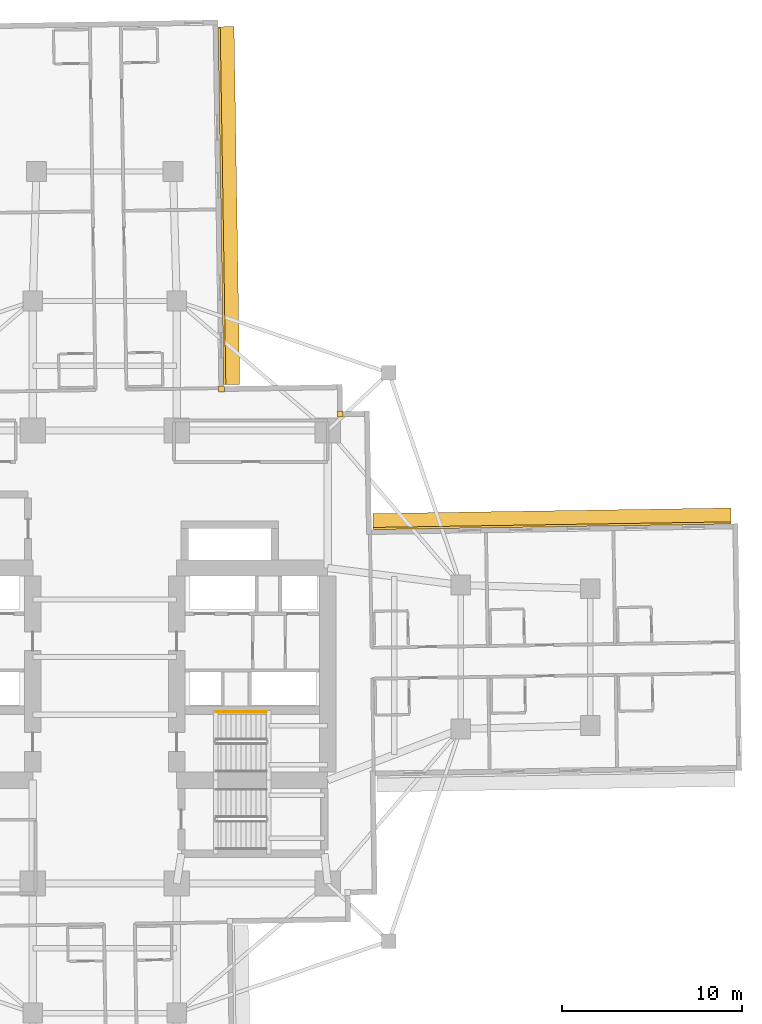
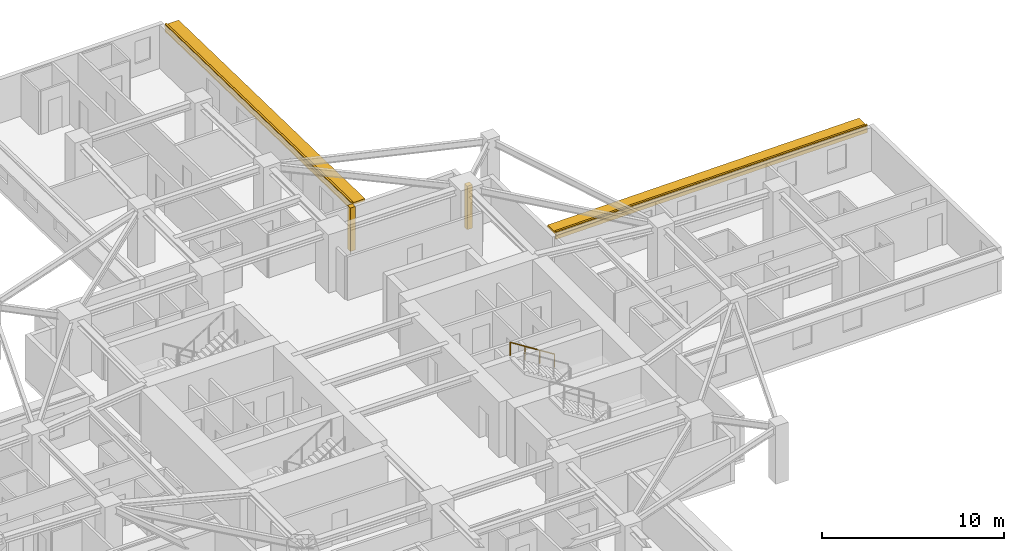
# One storey, part 14 of 14: 4 coverings, 2 shading devices, 1 railing.
"""IFC4 building model written with IfcOpenShell, lengths in metres."""

from ifc_helpers import new_model, si_unit, direction, frame, origin, origin_2d, place, context, subcontext, project, spatial, rectangle, circle, extrude, material, layer, layer_set, type_object, element, save


model = new_model("IFC4")

# Units and contexts
model_context = context("Model", 3, precision=1e-05, world=origin(), true_north=direction((0.0, 1.0)))
body_context = subcontext(model_context, "Body", "Model", "MODEL_VIEW")
ifc_project = project(units=[si_unit("LENGTHUNIT", "METRE"), si_unit("AREAUNIT", "SQUARE_METRE"), si_unit("VOLUMEUNIT", "CUBIC_METRE"), si_unit("PLANEANGLEUNIT", "RADIAN"), si_unit("MASSUNIT", "GRAM", prefix="KILO")], contexts=[model_context])

# Site, building, storey
site_placement = place(None, origin())
site = spatial("IfcSite", under=ifc_project, at=site_placement, CompositionType="ELEMENT")
building_placement = place(site_placement, origin())
building = spatial("IfcBuilding", under=site, at=building_placement, Name="Qingluan Cross Belvedere", CompositionType="ELEMENT")
storey_placement = place(building_placement, frame((0.0, 0.0, 60.0)))
storey = spatial("IfcBuildingStorey", under=building, at=storey_placement, Name="L15", CompositionType="ELEMENT", Elevation=60.0)

# Coverings
ifc_material_1 = material(Name="Precast concrete C45", Category="concrete")
ifc_layer_1 = layer(ifc_material_1, 0.1201171875, Name="ConcreteSpandrelCladding_120")
ifc_layer_set_1 = layer_set([ifc_layer_1], Name="Precast concrete C45")
covering_type = type_object("IfcCoveringType", Name="ConcreteSpandrelCladding_120", PredefinedType="CLADDING", material=ifc_layer_set_1)
for number, where, z_axis, x_axis, name in (
    (1, (24.87841796875, 7.3017578125, 2.449951171875), (0.0, 0.0, 1.0), (-0.999876567432, -0.015711457647, 0.0), "Spandrel cladding L15-EB"),
    (2, (6.5166015625, 25.095458984375, 2.449951171875), (0.0, 0.0, 1.0), (-0.015706483741, 0.999876645576, 0.0), "Spandrel cladding L15-NA"),
):
    element("IfcCovering", number, at=place(storey_placement, frame(where, z_axis=z_axis, x_axis=x_axis)), inside=storey, type_object=covering_type, Name=name, PredefinedType="CLADDING", context=body_context, shape_type="SweptSolid", body=[
        extrude(rectangle(XDim=19.89990234375, YDim=0.1201171875, at=origin_2d()), origin(), (0.0, 0.0, 1.0), 0.52001953125),
    ])
for number, where, z_axis, x_axis, name in (
    (3, (13.089599609375, 13.50732421875, 0.0), (0.0, 0.0, 1.0), (0.999876632482, 0.015707317312, 0.0), "Corner closure L15-NE1"),
    (4, (6.48681640625, 14.90380859375, 0.0), (0.0, 0.0, 1.0), (0.999876632482, 0.015707317312, 0.0), "Corner closure L15-NE2"),
):
    element("IfcCovering", number, at=place(storey_placement, frame(where, z_axis=z_axis, x_axis=x_axis)), inside=storey, type_object=covering_type, Name=name, PredefinedType="CLADDING", context=body_context, shape_type="SweptSolid", body=[
        extrude(rectangle(XDim=0.320068359375, YDim=0.320068359375, at=origin_2d()), origin(), (0.0, 0.0, 1.0), 2.909912109375),
    ])

# Shading devices
ifc_material_2 = material(Name="Precast concrete C45", Category="concrete")
ifc_layer_2 = layer(ifc_material_2, 0.159912109375, Name="ConcreteSunshadeBand_900")
ifc_layer_set_2 = layer_set([ifc_layer_2], Name="Precast concrete C45")
shading_device_type = type_object("IfcShadingDeviceType", Name="ConcreteSunshadeBand_900", PredefinedType="USERDEFINED", material=ifc_layer_set_2)
for number, where, z_axis, x_axis, name in (
    (5, (24.872314453125, 7.681640625, 2.72998046875), (0.0, 0.0, 1.0), (-0.999876567432, -0.015711457647, 0.0), "Concrete SUNSHADE L15-EB"),
    (6, (6.896484375, 25.101318359375, 2.72998046875), (0.0, 0.0, 1.0), (-0.015706483741, 0.999876645576, 0.0), "Concrete SUNSHADE L15-NA"),
):
    element("IfcShadingDevice", number, at=place(storey_placement, frame(where, z_axis=z_axis, x_axis=x_axis)), inside=storey, type_object=shading_device_type, Name=name, ObjectType="SUNSHADE", PredefinedType="USERDEFINED", context=body_context, shape_type="SweptSolid", body=[
        extrude(rectangle(XDim=19.89990234375, YDim=0.89990234375, at=origin_2d()), origin(), (0.0, 0.0, 1.0), 0.159912109375),
    ])

# Railing
ifc_material_3 = material(Name="Brushed stainless steel tubular handrail", Category="steel")
railing_type = type_object("IfcRailingType", Name="StairPitchHandrail_900", PredefinedType="HANDRAIL", material=ifc_material_3)
railing_placement = place(storey_placement, frame((8.97998046875, -3.050048828125, 2.127197265625)))
element("IfcRailing", 7, at=railing_placement, inside=storey, type_object=railing_type, Name="L15 ST2 stair handrail 2", PredefinedType="HANDRAIL", context=body_context, shape_type="SweptSolid", body=[
    extrude(circle(Radius=0.02392578125, at=origin_2d()), frame((0.0, 0.0, 0.8759765625), z_axis=(-0.844908973607, 0.0, 0.534910110503), x_axis=(0.0, -1.0, 0.0)), (0.0, 0.0, 1.0), 3.31396484375),
    extrude(circle(Radius=0.02099609375, at=origin_2d()), origin(), (0.0, 0.0, 1.0), 0.851806640625),
    extrude(circle(Radius=0.02099609375, at=origin_2d()), frame((-0.933349609375, 0.0, 0.5908203125)), (0.0, 0.0, 1.0), 0.851806640625),
    extrude(circle(Radius=0.02099609375, at=origin_2d()), frame((-1.86669921875, 0.0, 1.181884765625)), (0.0, 0.0, 1.0), 0.851806640625),
    extrude(circle(Radius=0.02099609375, at=origin_2d()), frame((-2.800048828125, 0.0, 1.772705078125)), (0.0, 0.0, 1.0), 0.851806640625),
])

save(model, "model.ifc")
